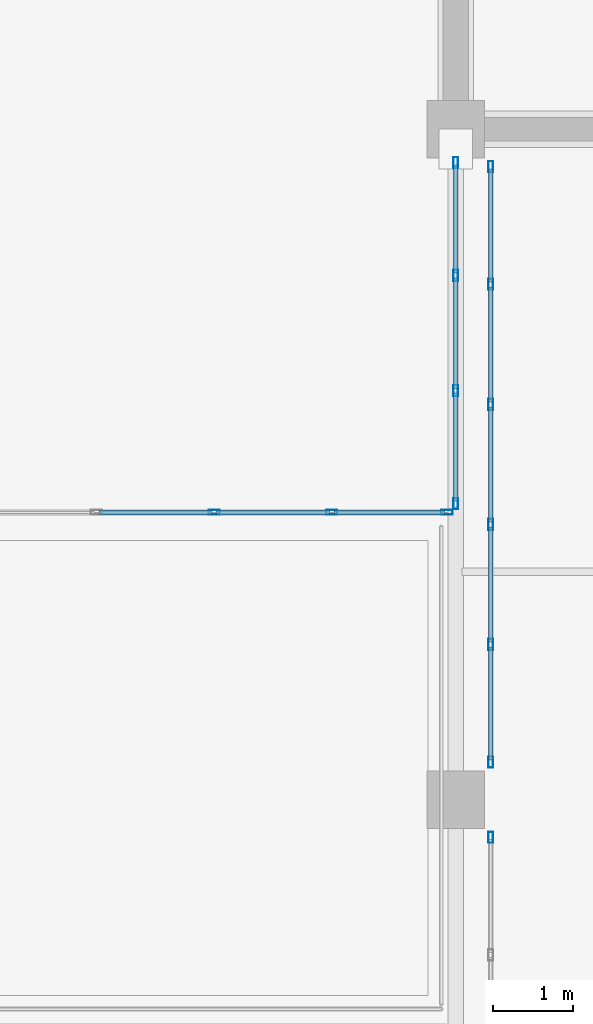
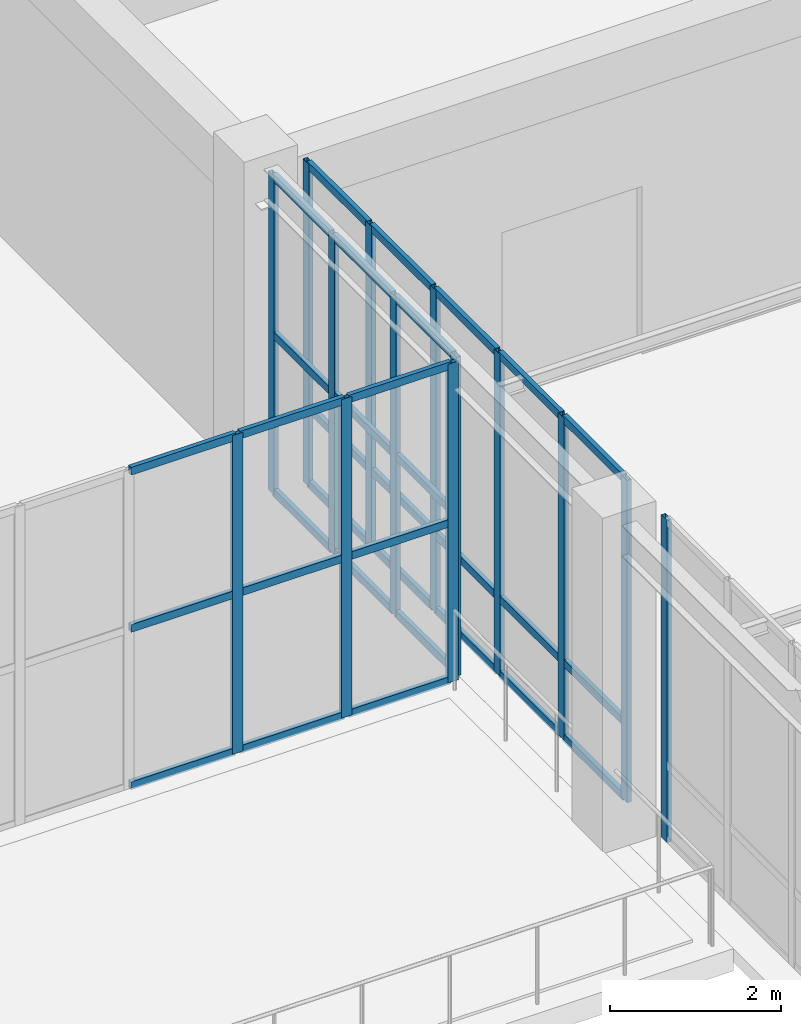
# One storey, part 40 of 158: 47 members, 4 elements without a shape of their own.
"""IFC4 building model written with IfcOpenShell, lengths in metres."""

from ifc_helpers import new_model, si_unit, direction, frame, origin, origin_2d, place, context, subcontext, project, spatial, hollow_rectangle, extrude, material, layer, layer_set, material_profile, profile_set, type_object, element, aggregate, save


model = new_model("IFC4")

# Units and contexts
model_context = context("Model", 3, precision=1e-05, world=origin(), true_north=direction((0.0, 1.0)))
body_context = subcontext(model_context, "Body", "Model", "MODEL_VIEW")
ifc_project = project(units=[si_unit("LENGTHUNIT", "METRE"), si_unit("AREAUNIT", "SQUARE_METRE"), si_unit("VOLUMEUNIT", "CUBIC_METRE"), si_unit("PLANEANGLEUNIT", "RADIAN"), si_unit("MASSUNIT", "GRAM", prefix="KILO")], contexts=[model_context])

# Site, building, storey
site_placement = place(None, origin())
site = spatial("IfcSite", under=ifc_project, at=site_placement, CompositionType="ELEMENT")
building_placement = place(site_placement, origin())
building = spatial("IfcBuilding", under=site, at=building_placement, Name="Trelvath General Hospital", CompositionType="ELEMENT")
storey_placement = place(building_placement, frame((0.0, 0.0, 8.10009765625)))
storey = spatial("IfcBuildingStorey", under=building, at=storey_placement, Name="L02", CompositionType="ELEMENT", Elevation=8.10009765625)

# Curtain wall, members
ifc_material_1 = material(Name="Anodised aluminium and low-E glass", Category="aluminium")
ifc_layer_1 = layer(ifc_material_1, 0.139892578125)
ifc_layer_set_1 = layer_set([ifc_layer_1], Name="Anodised aluminium and low-E glass")
curtain_wall_type_1 = type_object("IfcCurtainWallType", Name="CW CrystalCube 737 456 14", PredefinedType="USERDEFINED", material=ifc_layer_set_1)
curtain_wall_1_placement = place(storey_placement, origin())
curtain_wall_1 = element("IfcCurtainWall", 1, at=curtain_wall_1_placement, inside=storey, type_object=curtain_wall_type_1, Name="Crystal Cube Curtain Wall CUBE-W-T1 S3 L02", ObjectType="Unitised Glazed Curtain Wall", PredefinedType="USERDEFINED")
ifc_material_2 = material(Name="Anodised aluminium", Category="aluminium")
ifc_material_profile_1 = material_profile(ifc_material_2, hollow_rectangle(XDim=0.06005859375, YDim=0.139892578125, WallThickness=0.00390625, at=origin_2d()), Name="RHS60x140x4")
ifc_profile_set_1 = profile_set([ifc_material_profile_1], Name="Anodised aluminium")
member_type_1 = type_object("IfcMemberType", Name="CurtainMullion 60x140", PredefinedType="MULLION", material=ifc_profile_set_1)
member_1_placement = place(storey_placement, frame((75.489990234375, 37.199951171875, 0.0), z_axis=(0.0, 0.0, 1.0), x_axis=(0.0, -1.0, 0.0)))
member_1 = element("IfcMember", 2, at=member_1_placement, type_object=member_type_1, Name="CW-192 mullion 1", PredefinedType="MULLION", context=body_context, shape_type="SweptSolid", body=[
    extrude(hollow_rectangle(XDim=0.06005859375, YDim=0.139892578125, WallThickness=0.00390625, at=origin_2d()), origin(), (0.0, 0.0, 1.0), 4.559814453125),
])
member_2_placement = place(storey_placement, frame((74.046630859375, 37.199951171875, 0.0), z_axis=(0.0, 0.0, 1.0), x_axis=(0.0, -1.0, 0.0)))
member_2 = element("IfcMember", 3, at=member_2_placement, type_object=member_type_1, Name="CW-192 mullion 2", PredefinedType="MULLION", context=body_context, shape_type="SweptSolid", body=[
    extrude(hollow_rectangle(XDim=0.06005859375, YDim=0.139892578125, WallThickness=0.00390625, at=origin_2d()), origin(), (0.0, 0.0, 1.0), 4.559814453125),
])
member_3_placement = place(storey_placement, frame((72.5732421875, 37.199951171875, 0.0), z_axis=(0.0, 0.0, 1.0), x_axis=(0.0, -1.0, 0.0)))
member_3 = element("IfcMember", 4, at=member_3_placement, type_object=member_type_1, Name="CW-192 mullion 3", PredefinedType="MULLION", context=body_context, shape_type="SweptSolid", body=[
    extrude(hollow_rectangle(XDim=0.06005859375, YDim=0.139892578125, WallThickness=0.00390625, at=origin_2d()), origin(), (0.0, 0.0, 1.0), 4.559814453125),
])

ifc_material_3 = material(Name="Anodised aluminium and low-E glass", Category="aluminium")
ifc_layer_2 = layer(ifc_material_3, 0.139892578125)
ifc_layer_set_2 = layer_set([ifc_layer_2], Name="Anodised aluminium and low-E glass")
curtain_wall_type_2 = type_object("IfcCurtainWallType", Name="CW CrystalCube 433 456 14", PredefinedType="USERDEFINED", material=ifc_layer_set_2)
curtain_wall_2_placement = place(storey_placement, origin())
curtain_wall_2 = element("IfcCurtainWall", 5, at=curtain_wall_2_placement, inside=storey, type_object=curtain_wall_type_2, Name="Crystal Cube Curtain Wall CUBE-W-T1 E1 L02", ObjectType="Unitised Glazed Curtain Wall", PredefinedType="USERDEFINED")
member_4_placement = place(storey_placement, frame((75.60009765625, 41.580078125, 0.0), z_axis=(0.0, 0.0, 1.0), x_axis=(1.0, 0.0, 0.0)))
member_4 = element("IfcMember", 6, at=member_4_placement, type_object=member_type_1, Name="CW-197 mullion 1", PredefinedType="MULLION", context=body_context, shape_type="SweptSolid", body=[
    extrude(hollow_rectangle(XDim=0.06005859375, YDim=0.139892578125, WallThickness=0.00390625, at=origin_2d()), origin(), (0.0, 0.0, 1.0), 4.559814453125),
])
member_5_placement = place(storey_placement, frame((75.60009765625, 40.166748046875, 0.0), z_axis=(0.0, 0.0, 1.0), x_axis=(1.0, 0.0, 0.0)))
member_5 = element("IfcMember", 7, at=member_5_placement, type_object=member_type_1, Name="CW-197 mullion 2", PredefinedType="MULLION", context=body_context, shape_type="SweptSolid", body=[
    extrude(hollow_rectangle(XDim=0.06005859375, YDim=0.139892578125, WallThickness=0.00390625, at=origin_2d()), origin(), (0.0, 0.0, 1.0), 4.559814453125),
])
member_6_placement = place(storey_placement, frame((75.60009765625, 38.723388671875, 0.0), z_axis=(0.0, 0.0, 1.0), x_axis=(1.0, 0.0, 0.0)))
member_6 = element("IfcMember", 8, at=member_6_placement, type_object=member_type_1, Name="CW-197 mullion 3", PredefinedType="MULLION", context=body_context, shape_type="SweptSolid", body=[
    extrude(hollow_rectangle(XDim=0.06005859375, YDim=0.139892578125, WallThickness=0.00390625, at=origin_2d()), origin(), (0.0, 0.0, 1.0), 4.559814453125),
])
member_7_placement = place(storey_placement, frame((75.60009765625, 37.31005859375, 0.0), z_axis=(0.0, 0.0, 1.0), x_axis=(1.0, 0.0, 0.0)))
member_7 = element("IfcMember", 9, at=member_7_placement, type_object=member_type_1, Name="CW-197 mullion 4", PredefinedType="MULLION", context=body_context, shape_type="SweptSolid", body=[
    extrude(hollow_rectangle(XDim=0.06005859375, YDim=0.139892578125, WallThickness=0.00390625, at=origin_2d()), origin(), (0.0, 0.0, 1.0), 4.559814453125),
])

# Curtain wall, member
ifc_material_4 = material(Name="Anodised aluminium and low-E glass", Category="aluminium")
ifc_layer_3 = layer(ifc_material_4, 0.139892578125)
ifc_layer_set_3 = layer_set([ifc_layer_3], Name="Anodised aluminium and low-E glass")
curtain_wall_type_3 = type_object("IfcCurtainWallType", Name="CW Bridge 752 461", PredefinedType="USERDEFINED", material=ifc_layer_set_3)
curtain_wall_3_placement = place(storey_placement, origin())
curtain_wall_3 = element("IfcCurtainWall", 10, at=curtain_wall_3_placement, inside=storey, type_object=curtain_wall_type_3, Name="Glazed Bridge Curtain Wall BRG-S-C W L02", ObjectType="Unitised Glazed Curtain Wall", PredefinedType="USERDEFINED")
member_8_placement = place(storey_placement, frame((76.0400390625, 33.1298828125, 0.0), z_axis=(0.0, 0.0, 1.0), x_axis=(-1.0, 0.0, 0.0)))
member_8 = element("IfcMember", 11, at=member_8_placement, type_object=member_type_1, Name="CW-226 mullion 6", PredefinedType="MULLION", context=body_context, shape_type="SweptSolid", body=[
    extrude(hollow_rectangle(XDim=0.06005859375, YDim=0.139892578125, WallThickness=0.00390625, at=origin_2d()), origin(), (0.0, 0.0, 1.0), 4.60986328125),
])
aggregate(curtain_wall_3, [member_8])

# Curtain wall, members
curtain_wall_4_placement = place(storey_placement, origin())
curtain_wall_4 = element("IfcCurtainWall", 12, at=curtain_wall_4_placement, inside=storey, type_object=curtain_wall_type_3, Name="Glazed Bridge Curtain Wall BRG-S-C W L02", ObjectType="Unitised Glazed Curtain Wall", PredefinedType="USERDEFINED")
member_9_placement = place(storey_placement, frame((76.0400390625, 34.070068359375, 0.0), z_axis=(0.0, 0.0, 1.0), x_axis=(-1.0, 0.0, 0.0)))
member_9 = element("IfcMember", 13, at=member_9_placement, type_object=member_type_1, Name="CW-228 mullion 1", PredefinedType="MULLION", context=body_context, shape_type="SweptSolid", body=[
    extrude(hollow_rectangle(XDim=0.06005859375, YDim=0.139892578125, WallThickness=0.00390625, at=origin_2d()), origin(), (0.0, 0.0, 1.0), 4.60986328125),
])
member_10_placement = place(storey_placement, frame((76.0400390625, 35.5439453125, 0.0), z_axis=(0.0, 0.0, 1.0), x_axis=(-1.0, 0.0, 0.0)))
member_10 = element("IfcMember", 14, at=member_10_placement, type_object=member_type_1, Name="CW-228 mullion 2", PredefinedType="MULLION", context=body_context, shape_type="SweptSolid", body=[
    extrude(hollow_rectangle(XDim=0.06005859375, YDim=0.139892578125, WallThickness=0.00390625, at=origin_2d()), origin(), (0.0, 0.0, 1.0), 4.60986328125),
])
member_11_placement = place(storey_placement, frame((76.0400390625, 37.048095703125, 0.0), z_axis=(0.0, 0.0, 1.0), x_axis=(-1.0, 0.0, 0.0)))
member_11 = element("IfcMember", 15, at=member_11_placement, type_object=member_type_1, Name="CW-228 mullion 3", PredefinedType="MULLION", context=body_context, shape_type="SweptSolid", body=[
    extrude(hollow_rectangle(XDim=0.06005859375, YDim=0.139892578125, WallThickness=0.00390625, at=origin_2d()), origin(), (0.0, 0.0, 1.0), 4.60986328125),
])
member_12_placement = place(storey_placement, frame((76.0400390625, 38.552001953125, 0.0), z_axis=(0.0, 0.0, 1.0), x_axis=(-1.0, 0.0, 0.0)))
member_12 = element("IfcMember", 16, at=member_12_placement, type_object=member_type_1, Name="CW-228 mullion 4", PredefinedType="MULLION", context=body_context, shape_type="SweptSolid", body=[
    extrude(hollow_rectangle(XDim=0.06005859375, YDim=0.139892578125, WallThickness=0.00390625, at=origin_2d()), origin(), (0.0, 0.0, 1.0), 4.60986328125),
])
member_13_placement = place(storey_placement, frame((76.0400390625, 40.055908203125, 0.0), z_axis=(0.0, 0.0, 1.0), x_axis=(-1.0, 0.0, 0.0)))
member_13 = element("IfcMember", 17, at=member_13_placement, type_object=member_type_1, Name="CW-228 mullion 5", PredefinedType="MULLION", context=body_context, shape_type="SweptSolid", body=[
    extrude(hollow_rectangle(XDim=0.06005859375, YDim=0.139892578125, WallThickness=0.00390625, at=origin_2d()), origin(), (0.0, 0.0, 1.0), 4.60986328125),
])
member_14_placement = place(storey_placement, frame((76.0400390625, 41.530029296875, 0.0), z_axis=(0.0, 0.0, 1.0), x_axis=(-1.0, 0.0, 0.0)))
member_14 = element("IfcMember", 18, at=member_14_placement, type_object=member_type_1, Name="CW-228 mullion 6", PredefinedType="MULLION", context=body_context, shape_type="SweptSolid", body=[
    extrude(hollow_rectangle(XDim=0.06005859375, YDim=0.139892578125, WallThickness=0.00390625, at=origin_2d()), origin(), (0.0, 0.0, 1.0), 4.60986328125),
])

# Member
ifc_material_5 = material(Name="Anodised aluminium", Category="aluminium")
ifc_material_profile_2 = material_profile(ifc_material_5, hollow_rectangle(XDim=0.06005859375, YDim=0.110107421875, WallThickness=0.00390625, at=origin_2d()), Name="RHS60x110x4")
ifc_profile_set_2 = profile_set([ifc_material_profile_2], Name="Anodised aluminium")
member_type_2 = type_object("IfcMemberType", Name="CurtainTransom 60x110", PredefinedType="USERDEFINED", material=ifc_profile_set_2)
member_15_placement = place(storey_placement, frame((75.4599609375, 37.199951171875, 0.02978515625), z_axis=(-1.0, 0.0, 0.0), x_axis=(0.0, -1.0, 0.0)))
member_15 = element("IfcMember", 19, at=member_15_placement, type_object=member_type_2, Name="CW-192 transom 1.1", ObjectType="TRANSOM", PredefinedType="USERDEFINED", context=body_context, shape_type="SweptSolid", body=[
    extrude(hollow_rectangle(XDim=0.06005859375, YDim=0.110107421875, WallThickness=0.00390625, at=origin_2d()), origin(), (0.0, 0.0, 1.0), 1.38330078125),
])

member_16_placement = place(storey_placement, frame((75.4599609375, 37.199951171875, 2.27978515625), z_axis=(-1.0, 0.0, 0.0), x_axis=(0.0, -1.0, 0.0)))
member_16 = element("IfcMember", 20, at=member_16_placement, type_object=member_type_2, Name="CW-192 transom 1.2", ObjectType="TRANSOM", PredefinedType="USERDEFINED", context=body_context, shape_type="SweptSolid", body=[
    extrude(hollow_rectangle(XDim=0.06005859375, YDim=0.110107421875, WallThickness=0.00390625, at=origin_2d()), origin(), (0.0, 0.0, 1.0), 1.38330078125),
])

member_17_placement = place(storey_placement, frame((75.4599609375, 37.199951171875, 4.52978515625), z_axis=(-1.0, 0.0, 0.0), x_axis=(0.0, -1.0, 0.0)))
member_17 = element("IfcMember", 21, at=member_17_placement, type_object=member_type_2, Name="CW-192 transom 1.3", ObjectType="TRANSOM", PredefinedType="USERDEFINED", context=body_context, shape_type="SweptSolid", body=[
    extrude(hollow_rectangle(XDim=0.06005859375, YDim=0.110107421875, WallThickness=0.00390625, at=origin_2d()), origin(), (0.0, 0.0, 1.0), 1.38330078125),
])

member_18_placement = place(storey_placement, frame((74.0166015625, 37.199951171875, 0.02978515625), z_axis=(-1.0, 0.0, 0.0), x_axis=(0.0, -1.0, 0.0)))
member_18 = element("IfcMember", 22, at=member_18_placement, type_object=member_type_2, Name="CW-192 transom 2.1", ObjectType="TRANSOM", PredefinedType="USERDEFINED", context=body_context, shape_type="SweptSolid", body=[
    extrude(hollow_rectangle(XDim=0.06005859375, YDim=0.110107421875, WallThickness=0.00390625, at=origin_2d()), origin(), (0.0, 0.0, 1.0), 1.413330078125),
])

member_19_placement = place(storey_placement, frame((74.0166015625, 37.199951171875, 2.27978515625), z_axis=(-1.0, 0.0, 0.0), x_axis=(0.0, -1.0, 0.0)))
member_19 = element("IfcMember", 23, at=member_19_placement, type_object=member_type_2, Name="CW-192 transom 2.2", ObjectType="TRANSOM", PredefinedType="USERDEFINED", context=body_context, shape_type="SweptSolid", body=[
    extrude(hollow_rectangle(XDim=0.06005859375, YDim=0.110107421875, WallThickness=0.00390625, at=origin_2d()), origin(), (0.0, 0.0, 1.0), 1.413330078125),
])

member_20_placement = place(storey_placement, frame((74.0166015625, 37.199951171875, 4.52978515625), z_axis=(-1.0, 0.0, 0.0), x_axis=(0.0, -1.0, 0.0)))
member_20 = element("IfcMember", 24, at=member_20_placement, type_object=member_type_2, Name="CW-192 transom 2.3", ObjectType="TRANSOM", PredefinedType="USERDEFINED", context=body_context, shape_type="SweptSolid", body=[
    extrude(hollow_rectangle(XDim=0.06005859375, YDim=0.110107421875, WallThickness=0.00390625, at=origin_2d()), origin(), (0.0, 0.0, 1.0), 1.413330078125),
])

member_21_placement = place(storey_placement, frame((72.543212890625, 37.199951171875, 0.02978515625), z_axis=(-1.0, 0.0, 0.0), x_axis=(0.0, -1.0, 0.0)))
member_21 = element("IfcMember", 25, at=member_21_placement, type_object=member_type_2, Name="CW-192 transom 3.1", ObjectType="TRANSOM", PredefinedType="USERDEFINED", context=body_context, shape_type="SweptSolid", body=[
    extrude(hollow_rectangle(XDim=0.06005859375, YDim=0.110107421875, WallThickness=0.00390625, at=origin_2d()), origin(), (0.0, 0.0, 1.0), 1.413330078125),
])

member_22_placement = place(storey_placement, frame((72.543212890625, 37.199951171875, 2.27978515625), z_axis=(-1.0, 0.0, 0.0), x_axis=(0.0, -1.0, 0.0)))
member_22 = element("IfcMember", 26, at=member_22_placement, type_object=member_type_2, Name="CW-192 transom 3.2", ObjectType="TRANSOM", PredefinedType="USERDEFINED", context=body_context, shape_type="SweptSolid", body=[
    extrude(hollow_rectangle(XDim=0.06005859375, YDim=0.110107421875, WallThickness=0.00390625, at=origin_2d()), origin(), (0.0, 0.0, 1.0), 1.413330078125),
])

member_23_placement = place(storey_placement, frame((72.543212890625, 37.199951171875, 4.52978515625), z_axis=(-1.0, 0.0, 0.0), x_axis=(0.0, -1.0, 0.0)))
member_23 = element("IfcMember", 27, at=member_23_placement, type_object=member_type_2, Name="CW-192 transom 3.3", ObjectType="TRANSOM", PredefinedType="USERDEFINED", context=body_context, shape_type="SweptSolid", body=[
    extrude(hollow_rectangle(XDim=0.06005859375, YDim=0.110107421875, WallThickness=0.00390625, at=origin_2d()), origin(), (0.0, 0.0, 1.0), 1.413330078125),
])

aggregate(curtain_wall_1, [member_1, member_2, member_3, member_15, member_16, member_17, member_18, member_19, member_20, member_21, member_22, member_23])

member_24_placement = place(storey_placement, frame((75.60009765625, 41.550048828125, 0.02978515625), z_axis=(0.0, -1.0, 0.0), x_axis=(1.0, 0.0, 0.0)))
member_24 = element("IfcMember", 28, at=member_24_placement, type_object=member_type_2, Name="CW-197 transom 1.1", ObjectType="TRANSOM", PredefinedType="USERDEFINED", context=body_context, shape_type="SweptSolid", body=[
    extrude(hollow_rectangle(XDim=0.06005859375, YDim=0.110107421875, WallThickness=0.00390625, at=origin_2d()), origin(), (0.0, 0.0, 1.0), 1.353271484375),
])

member_25_placement = place(storey_placement, frame((75.60009765625, 41.550048828125, 2.27978515625), z_axis=(0.0, -1.0, 0.0), x_axis=(1.0, 0.0, 0.0)))
member_25 = element("IfcMember", 29, at=member_25_placement, type_object=member_type_2, Name="CW-197 transom 1.2", ObjectType="TRANSOM", PredefinedType="USERDEFINED", context=body_context, shape_type="SweptSolid", body=[
    extrude(hollow_rectangle(XDim=0.06005859375, YDim=0.110107421875, WallThickness=0.00390625, at=origin_2d()), origin(), (0.0, 0.0, 1.0), 1.353271484375),
])

member_26_placement = place(storey_placement, frame((75.60009765625, 41.550048828125, 4.52978515625), z_axis=(0.0, -1.0, 0.0), x_axis=(1.0, 0.0, 0.0)))
member_26 = element("IfcMember", 30, at=member_26_placement, type_object=member_type_2, Name="CW-197 transom 1.3", ObjectType="TRANSOM", PredefinedType="USERDEFINED", context=body_context, shape_type="SweptSolid", body=[
    extrude(hollow_rectangle(XDim=0.06005859375, YDim=0.110107421875, WallThickness=0.00390625, at=origin_2d()), origin(), (0.0, 0.0, 1.0), 1.353271484375),
])

member_27_placement = place(storey_placement, frame((75.60009765625, 40.13671875, 0.02978515625), z_axis=(0.0, -1.0, 0.0), x_axis=(1.0, 0.0, 0.0)))
member_27 = element("IfcMember", 31, at=member_27_placement, type_object=member_type_2, Name="CW-197 transom 2.1", ObjectType="TRANSOM", PredefinedType="USERDEFINED", context=body_context, shape_type="SweptSolid", body=[
    extrude(hollow_rectangle(XDim=0.06005859375, YDim=0.110107421875, WallThickness=0.00390625, at=origin_2d()), origin(), (0.0, 0.0, 1.0), 1.38330078125),
])

member_28_placement = place(storey_placement, frame((75.60009765625, 40.13671875, 2.27978515625), z_axis=(0.0, -1.0, 0.0), x_axis=(1.0, 0.0, 0.0)))
member_28 = element("IfcMember", 32, at=member_28_placement, type_object=member_type_2, Name="CW-197 transom 2.2", ObjectType="TRANSOM", PredefinedType="USERDEFINED", context=body_context, shape_type="SweptSolid", body=[
    extrude(hollow_rectangle(XDim=0.06005859375, YDim=0.110107421875, WallThickness=0.00390625, at=origin_2d()), origin(), (0.0, 0.0, 1.0), 1.38330078125),
])

member_29_placement = place(storey_placement, frame((75.60009765625, 40.13671875, 4.52978515625), z_axis=(0.0, -1.0, 0.0), x_axis=(1.0, 0.0, 0.0)))
member_29 = element("IfcMember", 33, at=member_29_placement, type_object=member_type_2, Name="CW-197 transom 2.3", ObjectType="TRANSOM", PredefinedType="USERDEFINED", context=body_context, shape_type="SweptSolid", body=[
    extrude(hollow_rectangle(XDim=0.06005859375, YDim=0.110107421875, WallThickness=0.00390625, at=origin_2d()), origin(), (0.0, 0.0, 1.0), 1.38330078125),
])

member_30_placement = place(storey_placement, frame((75.60009765625, 38.693359375, 0.02978515625), z_axis=(0.0, -1.0, 0.0), x_axis=(1.0, 0.0, 0.0)))
member_30 = element("IfcMember", 34, at=member_30_placement, type_object=member_type_2, Name="CW-197 transom 3.1", ObjectType="TRANSOM", PredefinedType="USERDEFINED", context=body_context, shape_type="SweptSolid", body=[
    extrude(hollow_rectangle(XDim=0.06005859375, YDim=0.110107421875, WallThickness=0.00390625, at=origin_2d()), origin(), (0.0, 0.0, 1.0), 1.353271484375),
])

member_31_placement = place(storey_placement, frame((75.60009765625, 38.693359375, 2.27978515625), z_axis=(0.0, -1.0, 0.0), x_axis=(1.0, 0.0, 0.0)))
member_31 = element("IfcMember", 35, at=member_31_placement, type_object=member_type_2, Name="CW-197 transom 3.2", ObjectType="TRANSOM", PredefinedType="USERDEFINED", context=body_context, shape_type="SweptSolid", body=[
    extrude(hollow_rectangle(XDim=0.06005859375, YDim=0.110107421875, WallThickness=0.00390625, at=origin_2d()), origin(), (0.0, 0.0, 1.0), 1.353271484375),
])

member_32_placement = place(storey_placement, frame((75.60009765625, 38.693359375, 4.52978515625), z_axis=(0.0, -1.0, 0.0), x_axis=(1.0, 0.0, 0.0)))
member_32 = element("IfcMember", 36, at=member_32_placement, type_object=member_type_2, Name="CW-197 transom 3.3", ObjectType="TRANSOM", PredefinedType="USERDEFINED", context=body_context, shape_type="SweptSolid", body=[
    extrude(hollow_rectangle(XDim=0.06005859375, YDim=0.110107421875, WallThickness=0.00390625, at=origin_2d()), origin(), (0.0, 0.0, 1.0), 1.353271484375),
])

aggregate(curtain_wall_2, [member_4, member_5, member_6, member_7, member_24, member_25, member_26, member_27, member_28, member_29, member_30, member_31, member_32])

member_33_placement = place(storey_placement, frame((76.0400390625, 34.10009765625, 0.02978515625), z_axis=(0.0, 1.0, 0.0), x_axis=(-1.0, 0.0, 0.0)))
member_33 = element("IfcMember", 37, at=member_33_placement, type_object=member_type_2, Name="CW-228 transom 1.1", ObjectType="TRANSOM", PredefinedType="USERDEFINED", context=body_context, shape_type="SweptSolid", body=[
    extrude(hollow_rectangle(XDim=0.06005859375, YDim=0.110107421875, WallThickness=0.00390625, at=origin_2d()), origin(), (0.0, 0.0, 1.0), 1.413818359375),
])

member_34_placement = place(storey_placement, frame((76.0400390625, 34.10009765625, 1.099853515625), z_axis=(0.0, 1.0, 0.0), x_axis=(-1.0, 0.0, 0.0)))
member_34 = element("IfcMember", 38, at=member_34_placement, type_object=member_type_2, Name="CW-228 transom 1.2", ObjectType="TRANSOM", PredefinedType="USERDEFINED", context=body_context, shape_type="SweptSolid", body=[
    extrude(hollow_rectangle(XDim=0.06005859375, YDim=0.110107421875, WallThickness=0.00390625, at=origin_2d()), origin(), (0.0, 0.0, 1.0), 1.413818359375),
])

member_35_placement = place(storey_placement, frame((76.0400390625, 34.10009765625, 4.579833984375), z_axis=(0.0, 1.0, 0.0), x_axis=(-1.0, 0.0, 0.0)))
member_35 = element("IfcMember", 39, at=member_35_placement, type_object=member_type_2, Name="CW-228 transom 1.3", ObjectType="TRANSOM", PredefinedType="USERDEFINED", context=body_context, shape_type="SweptSolid", body=[
    extrude(hollow_rectangle(XDim=0.06005859375, YDim=0.110107421875, WallThickness=0.00390625, at=origin_2d()), origin(), (0.0, 0.0, 1.0), 1.413818359375),
])

member_36_placement = place(storey_placement, frame((76.0400390625, 35.573974609375, 0.02978515625), z_axis=(0.0, 1.0, 0.0), x_axis=(-1.0, 0.0, 0.0)))
member_36 = element("IfcMember", 40, at=member_36_placement, type_object=member_type_2, Name="CW-228 transom 2.1", ObjectType="TRANSOM", PredefinedType="USERDEFINED", context=body_context, shape_type="SweptSolid", body=[
    extrude(hollow_rectangle(XDim=0.06005859375, YDim=0.110107421875, WallThickness=0.00390625, at=origin_2d()), origin(), (0.0, 0.0, 1.0), 1.444091796875),
])

member_37_placement = place(storey_placement, frame((76.0400390625, 35.573974609375, 1.099853515625), z_axis=(0.0, 1.0, 0.0), x_axis=(-1.0, 0.0, 0.0)))
member_37 = element("IfcMember", 41, at=member_37_placement, type_object=member_type_2, Name="CW-228 transom 2.2", ObjectType="TRANSOM", PredefinedType="USERDEFINED", context=body_context, shape_type="SweptSolid", body=[
    extrude(hollow_rectangle(XDim=0.06005859375, YDim=0.110107421875, WallThickness=0.00390625, at=origin_2d()), origin(), (0.0, 0.0, 1.0), 1.444091796875),
])

member_38_placement = place(storey_placement, frame((76.0400390625, 35.573974609375, 4.579833984375), z_axis=(0.0, 1.0, 0.0), x_axis=(-1.0, 0.0, 0.0)))
member_38 = element("IfcMember", 42, at=member_38_placement, type_object=member_type_2, Name="CW-228 transom 2.3", ObjectType="TRANSOM", PredefinedType="USERDEFINED", context=body_context, shape_type="SweptSolid", body=[
    extrude(hollow_rectangle(XDim=0.06005859375, YDim=0.110107421875, WallThickness=0.00390625, at=origin_2d()), origin(), (0.0, 0.0, 1.0), 1.444091796875),
])

member_39_placement = place(storey_placement, frame((76.0400390625, 37.077880859375, 0.02978515625), z_axis=(0.0, 1.0, 0.0), x_axis=(-1.0, 0.0, 0.0)))
member_39 = element("IfcMember", 43, at=member_39_placement, type_object=member_type_2, Name="CW-228 transom 3.1", ObjectType="TRANSOM", PredefinedType="USERDEFINED", context=body_context, shape_type="SweptSolid", body=[
    extrude(hollow_rectangle(XDim=0.06005859375, YDim=0.110107421875, WallThickness=0.00390625, at=origin_2d()), origin(), (0.0, 0.0, 1.0), 1.444091796875),
])

member_40_placement = place(storey_placement, frame((76.0400390625, 37.077880859375, 1.099853515625), z_axis=(0.0, 1.0, 0.0), x_axis=(-1.0, 0.0, 0.0)))
member_40 = element("IfcMember", 44, at=member_40_placement, type_object=member_type_2, Name="CW-228 transom 3.2", ObjectType="TRANSOM", PredefinedType="USERDEFINED", context=body_context, shape_type="SweptSolid", body=[
    extrude(hollow_rectangle(XDim=0.06005859375, YDim=0.110107421875, WallThickness=0.00390625, at=origin_2d()), origin(), (0.0, 0.0, 1.0), 1.444091796875),
])

member_41_placement = place(storey_placement, frame((76.0400390625, 37.077880859375, 4.579833984375), z_axis=(0.0, 1.0, 0.0), x_axis=(-1.0, 0.0, 0.0)))
member_41 = element("IfcMember", 45, at=member_41_placement, type_object=member_type_2, Name="CW-228 transom 3.3", ObjectType="TRANSOM", PredefinedType="USERDEFINED", context=body_context, shape_type="SweptSolid", body=[
    extrude(hollow_rectangle(XDim=0.06005859375, YDim=0.110107421875, WallThickness=0.00390625, at=origin_2d()), origin(), (0.0, 0.0, 1.0), 1.444091796875),
])

member_42_placement = place(storey_placement, frame((76.0400390625, 38.58203125, 0.02978515625), z_axis=(0.0, 1.0, 0.0), x_axis=(-1.0, 0.0, 0.0)))
member_42 = element("IfcMember", 46, at=member_42_placement, type_object=member_type_2, Name="CW-228 transom 4.1", ObjectType="TRANSOM", PredefinedType="USERDEFINED", context=body_context, shape_type="SweptSolid", body=[
    extrude(hollow_rectangle(XDim=0.06005859375, YDim=0.110107421875, WallThickness=0.00390625, at=origin_2d()), origin(), (0.0, 0.0, 1.0), 1.44384765625),
])

member_43_placement = place(storey_placement, frame((76.0400390625, 38.58203125, 1.099853515625), z_axis=(0.0, 1.0, 0.0), x_axis=(-1.0, 0.0, 0.0)))
member_43 = element("IfcMember", 47, at=member_43_placement, type_object=member_type_2, Name="CW-228 transom 4.2", ObjectType="TRANSOM", PredefinedType="USERDEFINED", context=body_context, shape_type="SweptSolid", body=[
    extrude(hollow_rectangle(XDim=0.06005859375, YDim=0.110107421875, WallThickness=0.00390625, at=origin_2d()), origin(), (0.0, 0.0, 1.0), 1.44384765625),
])

member_44_placement = place(storey_placement, frame((76.0400390625, 38.58203125, 4.579833984375), z_axis=(0.0, 1.0, 0.0), x_axis=(-1.0, 0.0, 0.0)))
member_44 = element("IfcMember", 48, at=member_44_placement, type_object=member_type_2, Name="CW-228 transom 4.3", ObjectType="TRANSOM", PredefinedType="USERDEFINED", context=body_context, shape_type="SweptSolid", body=[
    extrude(hollow_rectangle(XDim=0.06005859375, YDim=0.110107421875, WallThickness=0.00390625, at=origin_2d()), origin(), (0.0, 0.0, 1.0), 1.44384765625),
])

member_45_placement = place(storey_placement, frame((76.0400390625, 40.0859375, 0.02978515625), z_axis=(0.0, 1.0, 0.0), x_axis=(-1.0, 0.0, 0.0)))
member_45 = element("IfcMember", 49, at=member_45_placement, type_object=member_type_2, Name="CW-228 transom 5.1", ObjectType="TRANSOM", PredefinedType="USERDEFINED", context=body_context, shape_type="SweptSolid", body=[
    extrude(hollow_rectangle(XDim=0.06005859375, YDim=0.110107421875, WallThickness=0.00390625, at=origin_2d()), origin(), (0.0, 0.0, 1.0), 1.4140625),
])

member_46_placement = place(storey_placement, frame((76.0400390625, 40.0859375, 1.099853515625), z_axis=(0.0, 1.0, 0.0), x_axis=(-1.0, 0.0, 0.0)))
member_46 = element("IfcMember", 50, at=member_46_placement, type_object=member_type_2, Name="CW-228 transom 5.2", ObjectType="TRANSOM", PredefinedType="USERDEFINED", context=body_context, shape_type="SweptSolid", body=[
    extrude(hollow_rectangle(XDim=0.06005859375, YDim=0.110107421875, WallThickness=0.00390625, at=origin_2d()), origin(), (0.0, 0.0, 1.0), 1.4140625),
])

member_47_placement = place(storey_placement, frame((76.0400390625, 40.0859375, 4.579833984375), z_axis=(0.0, 1.0, 0.0), x_axis=(-1.0, 0.0, 0.0)))
member_47 = element("IfcMember", 51, at=member_47_placement, type_object=member_type_2, Name="CW-228 transom 5.3", ObjectType="TRANSOM", PredefinedType="USERDEFINED", context=body_context, shape_type="SweptSolid", body=[
    extrude(hollow_rectangle(XDim=0.06005859375, YDim=0.110107421875, WallThickness=0.00390625, at=origin_2d()), origin(), (0.0, 0.0, 1.0), 1.4140625),
])

aggregate(curtain_wall_4, [member_9, member_10, member_11, member_12, member_13, member_14, member_33, member_34, member_35, member_36, member_37, member_38, member_39, member_40, member_41, member_42, member_43, member_44, member_45, member_46, member_47])

save(model, "model.ifc")
